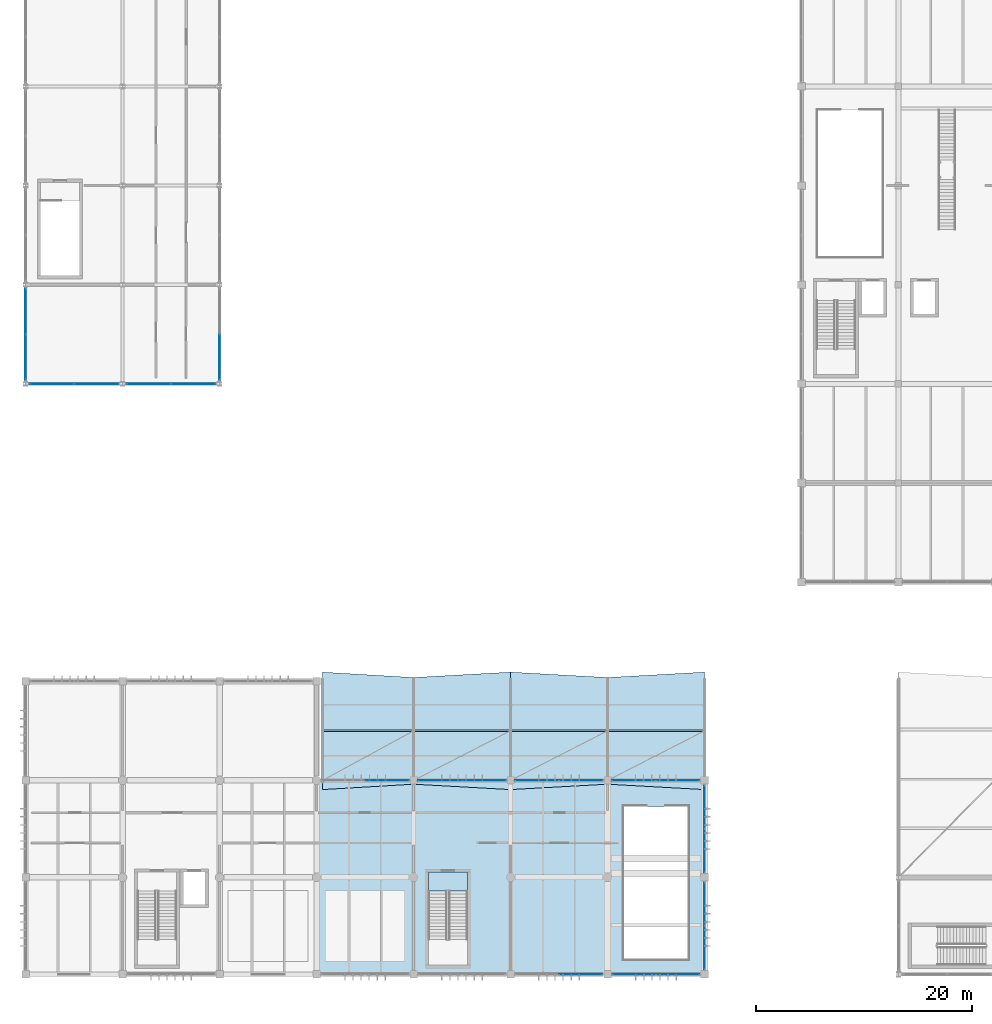
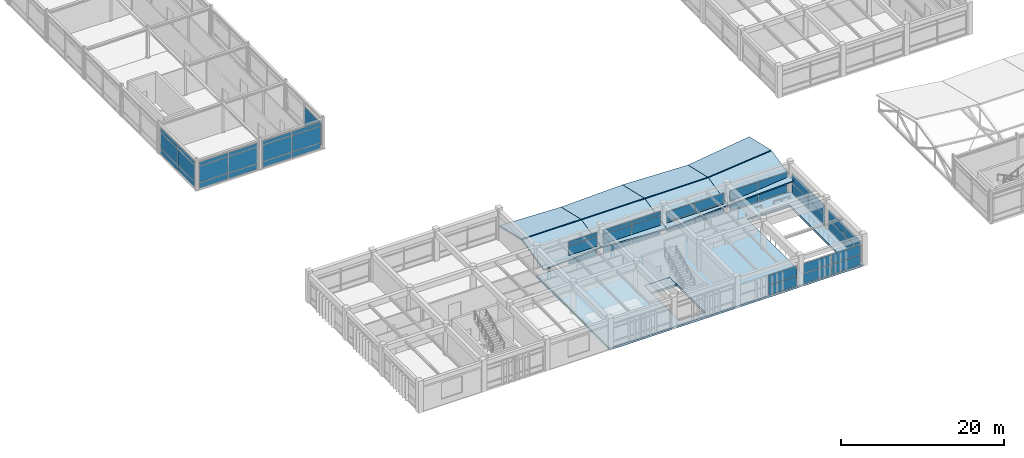
# One storey, part 53 of 90: 51 plates, 10 slabs, 12 elements without a shape of their own.
"""IFC4 building model written with IfcOpenShell, lengths in metres."""

from ifc_helpers import new_model, si_unit, direction, frame, origin, origin_2d, place, context, subcontext, project, spatial, polyline, rectangle, outline, extrude, material, layer, layer_set, type_object, element, aggregate, save


model = new_model("IFC4")

# Units and contexts
model_context = context("Model", 3, precision=1e-05, world=origin(), true_north=direction((0.0, 1.0)))
body_context = subcontext(model_context, "Body", "Model", "MODEL_VIEW")
ifc_project = project(units=[si_unit("LENGTHUNIT", "METRE"), si_unit("AREAUNIT", "SQUARE_METRE"), si_unit("VOLUMEUNIT", "CUBIC_METRE"), si_unit("PLANEANGLEUNIT", "RADIAN"), si_unit("MASSUNIT", "GRAM", prefix="KILO")], contexts=[model_context])

# Site, building, storey
site_placement = place(None, origin())
site = spatial("IfcSite", under=ifc_project, at=site_placement, CompositionType="ELEMENT")
building_placement = place(site_placement, origin())
building = spatial("IfcBuilding", under=site, at=building_placement, Name="Bozkorgan Art Gallery", CompositionType="ELEMENT")
storey_placement = place(building_placement, frame((0.0, 0.0, 5.39990234375)))
storey = spatial("IfcBuildingStorey", under=building, at=storey_placement, Name="L01", CompositionType="ELEMENT", Elevation=5.39990234375)

# Curtain wall, plates
ifc_material_1 = material(Name="Anodised Bronze Aluminium", Category="aluminium")
curtain_wall_type_1 = type_object("IfcCurtainWallType", Name="CW-CW-40", PredefinedType="NOTDEFINED", material=ifc_material_1)
curtain_wall_1_placement = place(storey_placement, origin())
curtain_wall_1 = element("IfcCurtainWall", 1, at=curtain_wall_1_placement, inside=storey, type_object=curtain_wall_type_1, Name="L01 unitised curtain wall CW-V1-L01-1N-05", PredefinedType="NOTDEFINED")
ifc_material_2 = material(Name="Triple Low-E Laminated Glass", Category="glass")
ifc_layer_1 = layer(ifc_material_2, 0.0439453125, Name="Triple Low-E Laminated Glass")
ifc_layer_set_1 = layer_set([ifc_layer_1], Name="Triple Low-E Laminated Glass")
plate_type = type_object("IfcPlateType", Name="CWP-GLZ", PredefinedType="CURTAIN_PANEL", material=ifc_layer_set_1)
plate_1_placement = place(storey_placement, frame((35.563720703125, 20.0, 0.094970703125), z_axis=(0.0, 0.0, 1.0), x_axis=(1.0, 0.0, 0.0)))
plate_1 = element("IfcPlate", 2, at=plate_1_placement, type_object=plate_type, Name="CW-40 panel 2.1", PredefinedType="CURTAIN_PANEL", context=body_context, shape_type="SweptSolid", body=[
    extrude(rectangle(XDim=4.012451171875, YDim=0.0439453125, at=origin_2d()), origin(), (0.0, 0.0, 1.0), 0.78759765625),
])
plate_2_placement = place(storey_placement, frame((35.563720703125, 20.0, 0.95751953125), z_axis=(0.0, 0.0, 1.0), x_axis=(1.0, 0.0, 0.0)))
plate_2 = element("IfcPlate", 3, at=plate_2_placement, type_object=plate_type, Name="CW-40 panel 2.2", PredefinedType="CURTAIN_PANEL", context=body_context, shape_type="SweptSolid", body=[
    extrude(rectangle(XDim=4.012451171875, YDim=0.0439453125, at=origin_2d()), origin(), (0.0, 0.0, 1.0), 1.929931640625),
])
plate_3_placement = place(storey_placement, frame((35.563720703125, 20.0, 2.962646484375), z_axis=(0.0, 0.0, 1.0), x_axis=(1.0, 0.0, 0.0)))
plate_3 = element("IfcPlate", 4, at=plate_3_placement, type_object=plate_type, Name="CW-40 panel 2.3", PredefinedType="CURTAIN_PANEL", context=body_context, shape_type="SweptSolid", body=[
    extrude(rectangle(XDim=4.012451171875, YDim=0.0439453125, at=origin_2d()), origin(), (0.0, 0.0, 1.0), 0.53759765625),
])
aggregate(curtain_wall_1, [plate_1, plate_2, plate_3])

curtain_wall_type_2 = type_object("IfcCurtainWallType", Name="CW-CW-42", PredefinedType="NOTDEFINED", material=ifc_material_1)
curtain_wall_2_placement = place(storey_placement, origin())
curtain_wall_2 = element("IfcCurtainWall", 5, at=curtain_wall_2_placement, inside=storey, type_object=curtain_wall_type_2, Name="L01 unitised curtain wall CW-V1-L01-1N-07", PredefinedType="NOTDEFINED")
plate_4_placement = place(storey_placement, frame((40.44873046875, 20.0, 0.094970703125), z_axis=(0.0, 0.0, 1.0), x_axis=(1.0, 0.0, 0.0)))
plate_4 = element("IfcPlate", 6, at=plate_4_placement, type_object=plate_type, Name="CW-42 panel 1.1", PredefinedType="CURTAIN_PANEL", context=body_context, shape_type="SweptSolid", body=[
    extrude(rectangle(XDim=4.03759765625, YDim=0.0439453125, at=origin_2d()), origin(), (0.0, 0.0, 1.0), 0.78759765625),
])
plate_5_placement = place(storey_placement, frame((40.44873046875, 20.0, 0.95751953125), z_axis=(0.0, 0.0, 1.0), x_axis=(1.0, 0.0, 0.0)))
plate_5 = element("IfcPlate", 7, at=plate_5_placement, type_object=plate_type, Name="CW-42 panel 1.2", PredefinedType="CURTAIN_PANEL", context=body_context, shape_type="SweptSolid", body=[
    extrude(rectangle(XDim=4.03759765625, YDim=0.0439453125, at=origin_2d()), origin(), (0.0, 0.0, 1.0), 1.929931640625),
])
plate_6_placement = place(storey_placement, frame((40.44873046875, 20.0, 2.962646484375), z_axis=(0.0, 0.0, 1.0), x_axis=(1.0, 0.0, 0.0)))
plate_6 = element("IfcPlate", 8, at=plate_6_placement, type_object=plate_type, Name="CW-42 panel 1.3", PredefinedType="CURTAIN_PANEL", context=body_context, shape_type="SweptSolid", body=[
    extrude(rectangle(XDim=4.03759765625, YDim=0.0439453125, at=origin_2d()), origin(), (0.0, 0.0, 1.0), 0.53759765625),
])
plate_7_placement = place(storey_placement, frame((44.55126953125, 20.0, 0.094970703125), z_axis=(0.0, 0.0, 1.0), x_axis=(1.0, 0.0, 0.0)))
plate_7 = element("IfcPlate", 9, at=plate_7_placement, type_object=plate_type, Name="CW-42 panel 2.1", PredefinedType="CURTAIN_PANEL", context=body_context, shape_type="SweptSolid", body=[
    extrude(rectangle(XDim=4.03759765625, YDim=0.0439453125, at=origin_2d()), origin(), (0.0, 0.0, 1.0), 0.78759765625),
])
plate_8_placement = place(storey_placement, frame((44.55126953125, 20.0, 0.95751953125), z_axis=(0.0, 0.0, 1.0), x_axis=(1.0, 0.0, 0.0)))
plate_8 = element("IfcPlate", 10, at=plate_8_placement, type_object=plate_type, Name="CW-42 panel 2.2", PredefinedType="CURTAIN_PANEL", context=body_context, shape_type="SweptSolid", body=[
    extrude(rectangle(XDim=4.03759765625, YDim=0.0439453125, at=origin_2d()), origin(), (0.0, 0.0, 1.0), 1.929931640625),
])
plate_9_placement = place(storey_placement, frame((44.55126953125, 20.0, 2.962646484375), z_axis=(0.0, 0.0, 1.0), x_axis=(1.0, 0.0, 0.0)))
plate_9 = element("IfcPlate", 11, at=plate_9_placement, type_object=plate_type, Name="CW-42 panel 2.3", PredefinedType="CURTAIN_PANEL", context=body_context, shape_type="SweptSolid", body=[
    extrude(rectangle(XDim=4.03759765625, YDim=0.0439453125, at=origin_2d()), origin(), (0.0, 0.0, 1.0), 0.53759765625),
])
aggregate(curtain_wall_2, [plate_4, plate_5, plate_6, plate_7, plate_8, plate_9])

curtain_wall_type_3 = type_object("IfcCurtainWallType", Name="CW-CW-73", PredefinedType="NOTDEFINED", material=ifc_material_1)
curtain_wall_3_placement = place(storey_placement, origin())
curtain_wall_3 = element("IfcCurtainWall", 12, at=curtain_wall_3_placement, inside=storey, type_object=curtain_wall_type_3, Name="L01 unitised curtain wall CW-V1-L01-1S-08", PredefinedType="NOTDEFINED")
plate_10_placement = place(storey_placement, frame((53.5263671875, 2.0, 0.09521484375), z_axis=(0.0, 0.0, 1.0), x_axis=(1.0, 0.0, 0.0)))
plate_10 = element("IfcPlate", 13, at=plate_10_placement, type_object=plate_type, Name="CW-73 panel 2.1", PredefinedType="CURTAIN_PANEL", context=body_context, shape_type="SweptSolid", body=[
    extrude(rectangle(XDim=3.987548828125, YDim=0.0439453125, at=origin_2d()), origin(), (0.0, 0.0, 1.0), 1.464599609375),
])
plate_11_placement = place(storey_placement, frame((53.5263671875, 2.0, 1.634765625), z_axis=(0.0, 0.0, 1.0), x_axis=(1.0, 0.0, 0.0)))
plate_11 = element("IfcPlate", 14, at=plate_11_placement, type_object=plate_type, Name="CW-73 panel 2.2", PredefinedType="CURTAIN_PANEL", context=body_context, shape_type="SweptSolid", body=[
    extrude(rectangle(XDim=3.987548828125, YDim=0.0439453125, at=origin_2d()), origin(), (0.0, 0.0, 1.0), 1.465576171875),
])
aggregate(curtain_wall_3, [plate_10, plate_11])

curtain_wall_type_4 = type_object("IfcCurtainWallType", Name="CW-CW-83", PredefinedType="NOTDEFINED", material=ifc_material_1)
curtain_wall_4_placement = place(storey_placement, origin())
curtain_wall_4 = element("IfcCurtainWall", 15, at=curtain_wall_4_placement, inside=storey, type_object=curtain_wall_type_4, Name="L01 unitised curtain wall CW-V1-L01-1N-09", PredefinedType="NOTDEFINED")
plate_12_placement = place(storey_placement, frame((49.44873046875, 20.0, 0.09521484375), z_axis=(0.0, 0.0, 1.0), x_axis=(1.0, 0.0, 0.0)))
plate_12 = element("IfcPlate", 16, at=plate_12_placement, type_object=plate_type, Name="CW-83 panel 1.1", PredefinedType="CURTAIN_PANEL", context=body_context, shape_type="SweptSolid", body=[
    extrude(rectangle(XDim=4.03759765625, YDim=0.0439453125, at=origin_2d()), origin(), (0.0, 0.0, 1.0), 1.464599609375),
])
plate_13_placement = place(storey_placement, frame((49.44873046875, 20.0, 1.634765625), z_axis=(0.0, 0.0, 1.0), x_axis=(1.0, 0.0, 0.0)))
plate_13 = element("IfcPlate", 17, at=plate_13_placement, type_object=plate_type, Name="CW-83 panel 1.2", PredefinedType="CURTAIN_PANEL", context=body_context, shape_type="SweptSolid", body=[
    extrude(rectangle(XDim=4.03759765625, YDim=0.0439453125, at=origin_2d()), origin(), (0.0, 0.0, 1.0), 1.465576171875),
])
plate_14_placement = place(storey_placement, frame((53.55126953125, 20.0, 0.09521484375), z_axis=(0.0, 0.0, 1.0), x_axis=(1.0, 0.0, 0.0)))
plate_14 = element("IfcPlate", 18, at=plate_14_placement, type_object=plate_type, Name="CW-83 panel 2.1", PredefinedType="CURTAIN_PANEL", context=body_context, shape_type="SweptSolid", body=[
    extrude(rectangle(XDim=4.03759765625, YDim=0.0439453125, at=origin_2d()), origin(), (0.0, 0.0, 1.0), 1.464599609375),
])
plate_15_placement = place(storey_placement, frame((53.55126953125, 20.0, 1.634765625), z_axis=(0.0, 0.0, 1.0), x_axis=(1.0, 0.0, 0.0)))
plate_15 = element("IfcPlate", 19, at=plate_15_placement, type_object=plate_type, Name="CW-83 panel 2.2", PredefinedType="CURTAIN_PANEL", context=body_context, shape_type="SweptSolid", body=[
    extrude(rectangle(XDim=4.03759765625, YDim=0.0439453125, at=origin_2d()), origin(), (0.0, 0.0, 1.0), 1.465576171875),
])
aggregate(curtain_wall_4, [plate_12, plate_13, plate_14, plate_15])

curtain_wall_5_placement = place(storey_placement, origin())
curtain_wall_5 = element("IfcCurtainWall", 20, at=curtain_wall_5_placement, inside=storey, type_object=curtain_wall_type_3, Name="L01 unitised curtain wall CW-V1-L01-1S-10", PredefinedType="NOTDEFINED")
plate_16_placement = place(storey_placement, frame((58.4736328125, 2.0, 0.09521484375), z_axis=(0.0, 0.0, 1.0), x_axis=(1.0, 0.0, 0.0)))
plate_16 = element("IfcPlate", 21, at=plate_16_placement, type_object=plate_type, Name="CW-73 panel 1.1", PredefinedType="CURTAIN_PANEL", context=body_context, shape_type="SweptSolid", body=[
    extrude(rectangle(XDim=3.987548828125, YDim=0.0439453125, at=origin_2d()), origin(), (0.0, 0.0, 1.0), 1.464599609375),
])
plate_17_placement = place(storey_placement, frame((58.4736328125, 2.0, 1.634765625), z_axis=(0.0, 0.0, 1.0), x_axis=(1.0, 0.0, 0.0)))
plate_17 = element("IfcPlate", 22, at=plate_17_placement, type_object=plate_type, Name="CW-73 panel 1.2", PredefinedType="CURTAIN_PANEL", context=body_context, shape_type="SweptSolid", body=[
    extrude(rectangle(XDim=3.987548828125, YDim=0.0439453125, at=origin_2d()), origin(), (0.0, 0.0, 1.0), 1.465576171875),
])
plate_18_placement = place(storey_placement, frame((62.5263671875, 2.0, 0.09521484375), z_axis=(0.0, 0.0, 1.0), x_axis=(1.0, 0.0, 0.0)))
plate_18 = element("IfcPlate", 23, at=plate_18_placement, type_object=plate_type, Name="CW-73 panel 2.1", PredefinedType="CURTAIN_PANEL", context=body_context, shape_type="SweptSolid", body=[
    extrude(rectangle(XDim=3.987548828125, YDim=0.0439453125, at=origin_2d()), origin(), (0.0, 0.0, 1.0), 1.464599609375),
])
plate_19_placement = place(storey_placement, frame((62.5263671875, 2.0, 1.634765625), z_axis=(0.0, 0.0, 1.0), x_axis=(1.0, 0.0, 0.0)))
plate_19 = element("IfcPlate", 24, at=plate_19_placement, type_object=plate_type, Name="CW-73 panel 2.2", PredefinedType="CURTAIN_PANEL", context=body_context, shape_type="SweptSolid", body=[
    extrude(rectangle(XDim=3.987548828125, YDim=0.0439453125, at=origin_2d()), origin(), (0.0, 0.0, 1.0), 1.465576171875),
])
aggregate(curtain_wall_5, [plate_16, plate_17, plate_18, plate_19])

curtain_wall_type_5 = type_object("IfcCurtainWallType", Name="CW-CW-27", PredefinedType="NOTDEFINED", material=ifc_material_1)
curtain_wall_6_placement = place(storey_placement, origin())
curtain_wall_6 = element("IfcCurtainWall", 25, at=curtain_wall_6_placement, inside=storey, type_object=curtain_wall_type_5, Name="L01 unitised curtain wall CW-V1-L01-1N-11", PredefinedType="NOTDEFINED")
plate_20_placement = place(storey_placement, frame((58.436279296875, 20.0, 0.09521484375), z_axis=(0.0, 0.0, 1.0), x_axis=(1.0, 0.0, 0.0)))
plate_20 = element("IfcPlate", 26, at=plate_20_placement, type_object=plate_type, Name="CW-27 panel 1.1", PredefinedType="CURTAIN_PANEL", context=body_context, shape_type="SweptSolid", body=[
    extrude(rectangle(XDim=4.012451171875, YDim=0.0439453125, at=origin_2d()), origin(), (0.0, 0.0, 1.0), 1.464599609375),
])
plate_21_placement = place(storey_placement, frame((58.436279296875, 20.0, 1.634765625), z_axis=(0.0, 0.0, 1.0), x_axis=(1.0, 0.0, 0.0)))
plate_21 = element("IfcPlate", 27, at=plate_21_placement, type_object=plate_type, Name="CW-27 panel 1.2", PredefinedType="CURTAIN_PANEL", context=body_context, shape_type="SweptSolid", body=[
    extrude(rectangle(XDim=4.012451171875, YDim=0.0439453125, at=origin_2d()), origin(), (0.0, 0.0, 1.0), 1.465576171875),
])
plate_22_placement = place(storey_placement, frame((62.513671875, 20.0, 0.09521484375), z_axis=(0.0, 0.0, 1.0), x_axis=(1.0, 0.0, 0.0)))
plate_22 = element("IfcPlate", 28, at=plate_22_placement, type_object=plate_type, Name="CW-27 panel 2.1", PredefinedType="CURTAIN_PANEL", context=body_context, shape_type="SweptSolid", body=[
    extrude(rectangle(XDim=4.012451171875, YDim=0.0439453125, at=origin_2d()), origin(), (0.0, 0.0, 1.0), 1.464599609375),
])
plate_23_placement = place(storey_placement, frame((62.513671875, 20.0, 1.634765625), z_axis=(0.0, 0.0, 1.0), x_axis=(1.0, 0.0, 0.0)))
plate_23 = element("IfcPlate", 29, at=plate_23_placement, type_object=plate_type, Name="CW-27 panel 2.2", PredefinedType="CURTAIN_PANEL", context=body_context, shape_type="SweptSolid", body=[
    extrude(rectangle(XDim=4.012451171875, YDim=0.0439453125, at=origin_2d()), origin(), (0.0, 0.0, 1.0), 1.465576171875),
])
aggregate(curtain_wall_6, [plate_20, plate_21, plate_22, plate_23])

curtain_wall_7_placement = place(storey_placement, origin())
curtain_wall_7 = element("IfcCurtainWall", 30, at=curtain_wall_7_placement, inside=storey, type_object=curtain_wall_type_3, Name="L01 unitised curtain wall CW-V1-L01-1E-13", PredefinedType="NOTDEFINED")
plate_24_placement = place(storey_placement, frame((65.0, 4.4736328125, 0.09521484375), z_axis=(0.0, 0.0, 1.0), x_axis=(0.0, 1.0, 0.0)))
plate_24 = element("IfcPlate", 31, at=plate_24_placement, type_object=plate_type, Name="CW-73 panel 1.1", PredefinedType="CURTAIN_PANEL", context=body_context, shape_type="SweptSolid", body=[
    extrude(rectangle(XDim=3.987548828125, YDim=0.0439453125, at=origin_2d()), origin(), (0.0, 0.0, 1.0), 1.464599609375),
])
plate_25_placement = place(storey_placement, frame((65.0, 4.4736328125, 1.634765625), z_axis=(0.0, 0.0, 1.0), x_axis=(0.0, 1.0, 0.0)))
plate_25 = element("IfcPlate", 32, at=plate_25_placement, type_object=plate_type, Name="CW-73 panel 1.2", PredefinedType="CURTAIN_PANEL", context=body_context, shape_type="SweptSolid", body=[
    extrude(rectangle(XDim=3.987548828125, YDim=0.0439453125, at=origin_2d()), origin(), (0.0, 0.0, 1.0), 1.465576171875),
])
plate_26_placement = place(storey_placement, frame((65.0, 8.5263671875, 0.09521484375), z_axis=(0.0, 0.0, 1.0), x_axis=(0.0, 1.0, 0.0)))
plate_26 = element("IfcPlate", 33, at=plate_26_placement, type_object=plate_type, Name="CW-73 panel 2.1", PredefinedType="CURTAIN_PANEL", context=body_context, shape_type="SweptSolid", body=[
    extrude(rectangle(XDim=3.987548828125, YDim=0.0439453125, at=origin_2d()), origin(), (0.0, 0.0, 1.0), 1.464599609375),
])
plate_27_placement = place(storey_placement, frame((65.0, 8.5263671875, 1.634765625), z_axis=(0.0, 0.0, 1.0), x_axis=(0.0, 1.0, 0.0)))
plate_27 = element("IfcPlate", 34, at=plate_27_placement, type_object=plate_type, Name="CW-73 panel 2.2", PredefinedType="CURTAIN_PANEL", context=body_context, shape_type="SweptSolid", body=[
    extrude(rectangle(XDim=3.987548828125, YDim=0.0439453125, at=origin_2d()), origin(), (0.0, 0.0, 1.0), 1.465576171875),
])
aggregate(curtain_wall_7, [plate_24, plate_25, plate_26, plate_27])

curtain_wall_8_placement = place(storey_placement, origin())
curtain_wall_8 = element("IfcCurtainWall", 35, at=curtain_wall_8_placement, inside=storey, type_object=curtain_wall_type_3, Name="L01 unitised curtain wall CW-V1-L01-1E-15", PredefinedType="NOTDEFINED")
plate_28_placement = place(storey_placement, frame((65.0, 13.4736328125, 0.09521484375), z_axis=(0.0, 0.0, 1.0), x_axis=(0.0, 1.0, 0.0)))
plate_28 = element("IfcPlate", 36, at=plate_28_placement, type_object=plate_type, Name="CW-73 panel 1.1", PredefinedType="CURTAIN_PANEL", context=body_context, shape_type="SweptSolid", body=[
    extrude(rectangle(XDim=3.987548828125, YDim=0.0439453125, at=origin_2d()), origin(), (0.0, 0.0, 1.0), 1.464599609375),
])
plate_29_placement = place(storey_placement, frame((65.0, 13.4736328125, 1.634765625), z_axis=(0.0, 0.0, 1.0), x_axis=(0.0, 1.0, 0.0)))
plate_29 = element("IfcPlate", 37, at=plate_29_placement, type_object=plate_type, Name="CW-73 panel 1.2", PredefinedType="CURTAIN_PANEL", context=body_context, shape_type="SweptSolid", body=[
    extrude(rectangle(XDim=3.987548828125, YDim=0.0439453125, at=origin_2d()), origin(), (0.0, 0.0, 1.0), 1.465576171875),
])
plate_30_placement = place(storey_placement, frame((65.0, 17.5263671875, 0.09521484375), z_axis=(0.0, 0.0, 1.0), x_axis=(0.0, 1.0, 0.0)))
plate_30 = element("IfcPlate", 38, at=plate_30_placement, type_object=plate_type, Name="CW-73 panel 2.1", PredefinedType="CURTAIN_PANEL", context=body_context, shape_type="SweptSolid", body=[
    extrude(rectangle(XDim=3.987548828125, YDim=0.0439453125, at=origin_2d()), origin(), (0.0, 0.0, 1.0), 1.464599609375),
])
plate_31_placement = place(storey_placement, frame((65.0, 17.5263671875, 1.634765625), z_axis=(0.0, 0.0, 1.0), x_axis=(0.0, 1.0, 0.0)))
plate_31 = element("IfcPlate", 39, at=plate_31_placement, type_object=plate_type, Name="CW-73 panel 2.2", PredefinedType="CURTAIN_PANEL", context=body_context, shape_type="SweptSolid", body=[
    extrude(rectangle(XDim=3.987548828125, YDim=0.0439453125, at=origin_2d()), origin(), (0.0, 0.0, 1.0), 1.465576171875),
])
aggregate(curtain_wall_8, [plate_28, plate_29, plate_30, plate_31])

curtain_wall_type_6 = type_object("IfcCurtainWallType", Name="CW-CW-74", PredefinedType="NOTDEFINED", material=ifc_material_1)
curtain_wall_9_placement = place(storey_placement, origin())
curtain_wall_9 = element("IfcCurtainWall", 40, at=curtain_wall_9_placement, inside=storey, type_object=curtain_wall_type_6, Name="L01 unitised curtain wall CW-V2-L01-1S-01", PredefinedType="NOTDEFINED")
plate_32_placement = place(storey_placement, frame((4.42626953125, 56.800048828125, 0.10009765625), z_axis=(0.0, 0.0, 1.0), x_axis=(1.0, 0.0, 0.0)))
plate_32 = element("IfcPlate", 41, at=plate_32_placement, type_object=plate_type, Name="CW-74 panel 1.1", PredefinedType="CURTAIN_PANEL", context=body_context, shape_type="SweptSolid", body=[
    extrude(rectangle(XDim=4.072509765625, YDim=0.0439453125, at=origin_2d()), origin(), (0.0, 0.0, 1.0), 0.780029296875),
])
plate_33_placement = place(storey_placement, frame((4.42626953125, 56.800048828125, 0.9599609375), z_axis=(0.0, 0.0, 1.0), x_axis=(1.0, 0.0, 0.0)))
plate_33 = element("IfcPlate", 42, at=plate_33_placement, type_object=plate_type, Name="CW-74 panel 1.2", PredefinedType="CURTAIN_PANEL", context=body_context, shape_type="SweptSolid", body=[
    extrude(rectangle(XDim=4.072509765625, YDim=0.0439453125, at=origin_2d()), origin(), (0.0, 0.0, 1.0), 2.445068359375),
])
plate_34_placement = place(storey_placement, frame((4.42626953125, 56.800048828125, 3.48486328125), z_axis=(0.0, 0.0, 1.0), x_axis=(1.0, 0.0, 0.0)))
plate_34 = element("IfcPlate", 43, at=plate_34_placement, type_object=plate_type, Name="CW-74 panel 1.3", PredefinedType="CURTAIN_PANEL", context=body_context, shape_type="SweptSolid", body=[
    extrude(rectangle(XDim=4.072509765625, YDim=0.0439453125, at=origin_2d()), origin(), (0.0, 0.0, 1.0), 0.530029296875),
])
plate_35_placement = place(storey_placement, frame((8.57373046875, 56.800048828125, 0.10009765625), z_axis=(0.0, 0.0, 1.0), x_axis=(1.0, 0.0, 0.0)))
plate_35 = element("IfcPlate", 44, at=plate_35_placement, type_object=plate_type, Name="CW-74 panel 2.1", PredefinedType="CURTAIN_PANEL", context=body_context, shape_type="SweptSolid", body=[
    extrude(rectangle(XDim=4.072509765625, YDim=0.0439453125, at=origin_2d()), origin(), (0.0, 0.0, 1.0), 0.780029296875),
])
plate_36_placement = place(storey_placement, frame((8.57373046875, 56.800048828125, 0.9599609375), z_axis=(0.0, 0.0, 1.0), x_axis=(1.0, 0.0, 0.0)))
plate_36 = element("IfcPlate", 45, at=plate_36_placement, type_object=plate_type, Name="CW-74 panel 2.2", PredefinedType="CURTAIN_PANEL", context=body_context, shape_type="SweptSolid", body=[
    extrude(rectangle(XDim=4.072509765625, YDim=0.0439453125, at=origin_2d()), origin(), (0.0, 0.0, 1.0), 2.445068359375),
])
plate_37_placement = place(storey_placement, frame((8.57373046875, 56.800048828125, 3.48486328125), z_axis=(0.0, 0.0, 1.0), x_axis=(1.0, 0.0, 0.0)))
plate_37 = element("IfcPlate", 46, at=plate_37_placement, type_object=plate_type, Name="CW-74 panel 2.3", PredefinedType="CURTAIN_PANEL", context=body_context, shape_type="SweptSolid", body=[
    extrude(rectangle(XDim=4.072509765625, YDim=0.0439453125, at=origin_2d()), origin(), (0.0, 0.0, 1.0), 0.530029296875),
])
aggregate(curtain_wall_9, [plate_32, plate_33, plate_34, plate_35, plate_36, plate_37])

curtain_wall_10_placement = place(storey_placement, origin())
curtain_wall_10 = element("IfcCurtainWall", 47, at=curtain_wall_10_placement, inside=storey, type_object=curtain_wall_type_6, Name="L01 unitised curtain wall CW-V2-L01-1S-03", PredefinedType="NOTDEFINED")
plate_38_placement = place(storey_placement, frame((13.42626953125, 56.800048828125, 0.10009765625), z_axis=(0.0, 0.0, 1.0), x_axis=(1.0, 0.0, 0.0)))
plate_38 = element("IfcPlate", 48, at=plate_38_placement, type_object=plate_type, Name="CW-74 panel 1.1", PredefinedType="CURTAIN_PANEL", context=body_context, shape_type="SweptSolid", body=[
    extrude(rectangle(XDim=4.072509765625, YDim=0.0439453125, at=origin_2d()), origin(), (0.0, 0.0, 1.0), 0.780029296875),
])
plate_39_placement = place(storey_placement, frame((13.42626953125, 56.800048828125, 0.9599609375), z_axis=(0.0, 0.0, 1.0), x_axis=(1.0, 0.0, 0.0)))
plate_39 = element("IfcPlate", 49, at=plate_39_placement, type_object=plate_type, Name="CW-74 panel 1.2", PredefinedType="CURTAIN_PANEL", context=body_context, shape_type="SweptSolid", body=[
    extrude(rectangle(XDim=4.072509765625, YDim=0.0439453125, at=origin_2d()), origin(), (0.0, 0.0, 1.0), 2.445068359375),
])
plate_40_placement = place(storey_placement, frame((13.42626953125, 56.800048828125, 3.48486328125), z_axis=(0.0, 0.0, 1.0), x_axis=(1.0, 0.0, 0.0)))
plate_40 = element("IfcPlate", 50, at=plate_40_placement, type_object=plate_type, Name="CW-74 panel 1.3", PredefinedType="CURTAIN_PANEL", context=body_context, shape_type="SweptSolid", body=[
    extrude(rectangle(XDim=4.072509765625, YDim=0.0439453125, at=origin_2d()), origin(), (0.0, 0.0, 1.0), 0.530029296875),
])
plate_41_placement = place(storey_placement, frame((17.57373046875, 56.800048828125, 0.10009765625), z_axis=(0.0, 0.0, 1.0), x_axis=(1.0, 0.0, 0.0)))
plate_41 = element("IfcPlate", 51, at=plate_41_placement, type_object=plate_type, Name="CW-74 panel 2.1", PredefinedType="CURTAIN_PANEL", context=body_context, shape_type="SweptSolid", body=[
    extrude(rectangle(XDim=4.072509765625, YDim=0.0439453125, at=origin_2d()), origin(), (0.0, 0.0, 1.0), 0.780029296875),
])
plate_42_placement = place(storey_placement, frame((17.57373046875, 56.800048828125, 0.9599609375), z_axis=(0.0, 0.0, 1.0), x_axis=(1.0, 0.0, 0.0)))
plate_42 = element("IfcPlate", 52, at=plate_42_placement, type_object=plate_type, Name="CW-74 panel 2.2", PredefinedType="CURTAIN_PANEL", context=body_context, shape_type="SweptSolid", body=[
    extrude(rectangle(XDim=4.072509765625, YDim=0.0439453125, at=origin_2d()), origin(), (0.0, 0.0, 1.0), 2.445068359375),
])
plate_43_placement = place(storey_placement, frame((17.57373046875, 56.800048828125, 3.48486328125), z_axis=(0.0, 0.0, 1.0), x_axis=(1.0, 0.0, 0.0)))
plate_43 = element("IfcPlate", 53, at=plate_43_placement, type_object=plate_type, Name="CW-74 panel 2.3", PredefinedType="CURTAIN_PANEL", context=body_context, shape_type="SweptSolid", body=[
    extrude(rectangle(XDim=4.072509765625, YDim=0.0439453125, at=origin_2d()), origin(), (0.0, 0.0, 1.0), 0.530029296875),
])
aggregate(curtain_wall_10, [plate_38, plate_39, plate_40, plate_41, plate_42, plate_43])

curtain_wall_type_7 = type_object("IfcCurtainWallType", Name="CW-CW-52", PredefinedType="NOTDEFINED", material=ifc_material_1)
curtain_wall_11_placement = place(storey_placement, origin())
curtain_wall_11 = element("IfcCurtainWall", 54, at=curtain_wall_11_placement, inside=storey, type_object=curtain_wall_type_7, Name="L01 unitised curtain wall CW-V2-L01-1W-05", PredefinedType="NOTDEFINED")
plate_44_placement = place(storey_placement, frame((2.0, 59.2763671875, 0.10009765625), z_axis=(0.0, 0.0, 1.0), x_axis=(0.0, 1.0, 0.0)))
plate_44 = element("IfcPlate", 55, at=plate_44_placement, type_object=plate_type, Name="CW-52 panel 1.1", PredefinedType="CURTAIN_PANEL", context=body_context, shape_type="SweptSolid", body=[
    extrude(rectangle(XDim=4.172607421875, YDim=0.0439453125, at=origin_2d()), origin(), (0.0, 0.0, 1.0), 0.780029296875),
])
plate_45_placement = place(storey_placement, frame((2.0, 59.2763671875, 0.9599609375), z_axis=(0.0, 0.0, 1.0), x_axis=(0.0, 1.0, 0.0)))
plate_45 = element("IfcPlate", 56, at=plate_45_placement, type_object=plate_type, Name="CW-52 panel 1.2", PredefinedType="CURTAIN_PANEL", context=body_context, shape_type="SweptSolid", body=[
    extrude(rectangle(XDim=4.172607421875, YDim=0.0439453125, at=origin_2d()), origin(), (0.0, 0.0, 1.0), 2.445068359375),
])
plate_46_placement = place(storey_placement, frame((2.0, 59.2763671875, 3.48486328125), z_axis=(0.0, 0.0, 1.0), x_axis=(0.0, 1.0, 0.0)))
plate_46 = element("IfcPlate", 57, at=plate_46_placement, type_object=plate_type, Name="CW-52 panel 1.3", PredefinedType="CURTAIN_PANEL", context=body_context, shape_type="SweptSolid", body=[
    extrude(rectangle(XDim=4.172607421875, YDim=0.0439453125, at=origin_2d()), origin(), (0.0, 0.0, 1.0), 0.530029296875),
])
plate_47_placement = place(storey_placement, frame((2.0, 63.523681640625, 0.10009765625), z_axis=(0.0, 0.0, 1.0), x_axis=(0.0, 1.0, 0.0)))
plate_47 = element("IfcPlate", 58, at=plate_47_placement, type_object=plate_type, Name="CW-52 panel 2.1", PredefinedType="CURTAIN_PANEL", context=body_context, shape_type="SweptSolid", body=[
    extrude(rectangle(XDim=4.172607421875, YDim=0.0439453125, at=origin_2d()), origin(), (0.0, 0.0, 1.0), 0.780029296875),
])
plate_48_placement = place(storey_placement, frame((2.0, 63.523681640625, 0.9599609375), z_axis=(0.0, 0.0, 1.0), x_axis=(0.0, 1.0, 0.0)))
plate_48 = element("IfcPlate", 59, at=plate_48_placement, type_object=plate_type, Name="CW-52 panel 2.2", PredefinedType="CURTAIN_PANEL", context=body_context, shape_type="SweptSolid", body=[
    extrude(rectangle(XDim=4.172607421875, YDim=0.0439453125, at=origin_2d()), origin(), (0.0, 0.0, 1.0), 2.445068359375),
])
plate_49_placement = place(storey_placement, frame((2.0, 63.523681640625, 3.48486328125), z_axis=(0.0, 0.0, 1.0), x_axis=(0.0, 1.0, 0.0)))
plate_49 = element("IfcPlate", 60, at=plate_49_placement, type_object=plate_type, Name="CW-52 panel 2.3", PredefinedType="CURTAIN_PANEL", context=body_context, shape_type="SweptSolid", body=[
    extrude(rectangle(XDim=4.172607421875, YDim=0.0439453125, at=origin_2d()), origin(), (0.0, 0.0, 1.0), 0.530029296875),
])
aggregate(curtain_wall_11, [plate_44, plate_45, plate_46, plate_47, plate_48, plate_49])

curtain_wall_12_placement = place(storey_placement, origin())
curtain_wall_12 = element("IfcCurtainWall", 61, at=curtain_wall_12_placement, inside=storey, type_object=curtain_wall_type_7, Name="L01 unitised curtain wall CW-V2-L01-1E-06", PredefinedType="NOTDEFINED")
plate_50_placement = place(storey_placement, frame((20.0, 59.2763671875, 0.10009765625), z_axis=(0.0, 0.0, 1.0), x_axis=(0.0, 1.0, 0.0)))
plate_50 = element("IfcPlate", 62, at=plate_50_placement, type_object=plate_type, Name="CW-52 panel 1.1", PredefinedType="CURTAIN_PANEL", context=body_context, shape_type="SweptSolid", body=[
    extrude(rectangle(XDim=4.172607421875, YDim=0.0439453125, at=origin_2d()), origin(), (0.0, 0.0, 1.0), 0.780029296875),
])
plate_51_placement = place(storey_placement, frame((20.0, 59.2763671875, 0.9599609375), z_axis=(0.0, 0.0, 1.0), x_axis=(0.0, 1.0, 0.0)))
plate_51 = element("IfcPlate", 63, at=plate_51_placement, type_object=plate_type, Name="CW-52 panel 1.2", PredefinedType="CURTAIN_PANEL", context=body_context, shape_type="SweptSolid", body=[
    extrude(rectangle(XDim=4.172607421875, YDim=0.0439453125, at=origin_2d()), origin(), (0.0, 0.0, 1.0), 2.445068359375),
])
aggregate(curtain_wall_12, [plate_50, plate_51])

# Slabs
ifc_material_3 = material(Name="Concrete C35/45", Category="concrete")
ifc_layer_2 = layer(ifc_material_3, 0.25, Name="Concrete C35/45")
ifc_layer_set_2 = layer_set([ifc_layer_2], Name="Concrete C35/45")
slab_type_1 = type_object("IfcSlabType", Name="LAND-CORE7", PredefinedType="LANDING", material=ifc_layer_set_2)
slab_1_placement = place(storey_placement, frame((0.0, 0.0, -0.27978515625)))
element("IfcSlab", 64, at=slab_1_placement, inside=storey, type_object=slab_type_1, Name="ST12 L01 floor landing", PredefinedType="LANDING", context=body_context, shape_type="SweptSolid", body=[
    extrude(outline(polyline([(39.39990234375, 9.75), (43.0, 9.75), (43.0, 11.5), (39.39990234375, 11.5), (39.39990234375, 9.75)])), origin(), (0.0, 0.0, 1.0), 0.27978515625),
])
ifc_layer_3 = layer(ifc_material_3, 0.219970703125, Name="Concrete C35/45")
ifc_layer_set_3 = layer_set([ifc_layer_3], Name="Concrete C35/45")
slab_type_2 = type_object("IfcSlabType", Name="SLAB-RF-44", PredefinedType="ROOF", material=ifc_layer_set_3)
slab_2_placement = place(storey_placement, frame((29.550048828125, 19.14990234375, 1.234619140625), z_axis=(-2.929044e-06, -0.224939245996, 0.974372790877), x_axis=(0.998161043728, 0.059063782592, 0.013638195262)))
element("IfcSlab", 65, at=slab_2_placement, inside=storey, type_object=slab_type_2, Name="ROOF-V1-STEP1 swept-eave pitched roof slab 1S", PredefinedType="ROOF", context=body_context, shape_type="SweptSolid", body=[
    extrude(outline(polyline([(0.0, 0.0), (8.465518891008989, -1.1102230246251565e-16), (8.768499414527028, 4.989010103112852), (0.33408733335877955, 5.501228466218062), (0.0, 0.0)])), origin(), (0.0, 0.0, -1.0), 0.219970703125),
])
slab_3_placement = place(storey_placement, frame((29.550048828125, 24.679931640625, 2.474365234375), z_axis=(-2.929044e-06, 0.224939245996, 0.974372790877), x_axis=(0.999999999996, 6.58857e-07, 2.853981e-06)))
element("IfcSlab", 66, at=slab_3_placement, inside=storey, type_object=slab_type_2, Name="ROOF-V1-STEP1 swept-eave pitched roof slab 1N", PredefinedType="ROOF", context=body_context, shape_type="SweptSolid", body=[
    extrude(outline(polyline([(0.0, 0.0), (8.449951171838753, 8.946733806585263e-22), (8.449951171911248, 4.998201577226892), (-7.249465624869632e-11, 5.511363622901206), (0.0, 0.0)])), origin(), (0.0, 0.0, -1.0), 0.219970703125),
])
slab_4_placement = place(storey_placement, frame((38.0, 19.64990234375, 1.35009765625), z_axis=(2.750031e-06, -0.224939245996, 0.974372790878), x_axis=(0.998378426342, -0.055466085716, -0.012807464646)))
element("IfcSlab", 67, at=slab_4_placement, inside=storey, type_object=slab_type_2, Name="ROOF-V1-STEP1 swept-eave pitched roof slab 2S", PredefinedType="ROOF", context=body_context, shape_type="SweptSolid", body=[
    extrude(outline(polyline([(0.0, 0.0), (9.01461786694025, 2.0816681711721685e-17), (8.70088048244527, 5.502426540846226), (-0.28452535463051654, 4.9900966252334), (0.0, 0.0)])), origin(), (0.0, 0.0, -1.0), 0.219970703125),
])
slab_5_placement = place(storey_placement, frame((38.0, 24.679931640625, 2.474365234375), z_axis=(2.750031e-06, 0.224939245996, 0.974372790878), x_axis=(0.999999999996, -6.1859e-07, -2.679555e-06)))
element("IfcSlab", 68, at=slab_5_placement, inside=storey, type_object=slab_type_2, Name="ROOF-V1-STEP1 swept-eave pitched roof slab 2N", PredefinedType="ROOF", context=body_context, shape_type="SweptSolid", body=[
    extrude(outline(polyline([(0.0, 0.0), (8.999999999965969, 9.529120656610879e-22), (9.000000000034033, 5.511363622901207), (-6.80640339478016e-11, 4.998201577226892), (0.0, 0.0)])), origin(), (0.0, 0.0, -1.0), 0.219970703125),
])
slab_6_placement = place(storey_placement, frame((47.0, 19.14990234375, 1.234619140625), z_axis=(-0.000610675649, -0.224939204054, 0.974372609198), x_axis=(0.998370267883, 0.055465632371, 0.013430258082)))
element("IfcSlab", 69, at=slab_6_placement, inside=storey, type_object=slab_type_2, Name="ROOF-V1-STEP1 swept-eave pitched roof slab 3S", PredefinedType="ROOF", context=body_context, shape_type="SweptSolid", body=[
    extrude(outline(polyline([(0.0, 0.0), (9.014691547450557, 8.326672684688674e-17), (9.29991488070241, 4.990056778911649), (0.31450705570500426, 5.502382601723593), (0.0, 0.0)])), origin(), (0.0, 0.0, -1.0), 0.219970703125),
])
slab_7_placement = place(storey_placement, frame((47.0, 24.679931640625, 2.474365234375), z_axis=(-0.000610675649, 0.224939204054, 0.974372609198), x_axis=(0.99999980369, 6.1859e-07, 0.000626594363)))
element("IfcSlab", 70, at=slab_7_placement, inside=storey, type_object=slab_type_2, Name="ROOF-V1-STEP1 swept-eave pitched roof slab 3N", PredefinedType="ROOF", context=body_context, shape_type="SweptSolid", body=[
    extrude(outline(polyline([(0.0, 0.0), (9.00000175168008, -2.168404344971009e-19), (8.999300304556735, 4.998201528006382), (-0.0007734960155061652, 5.511363568622798), (0.0, 0.0)])), origin(), (0.0, 0.0, -1.0), 0.219970703125),
])
slab_8_placement = place(storey_placement, frame((56.0, 19.64990234375, 1.355712890625), z_axis=(-0.098046307764, -0.223877404246, 0.969673052839), x_axis=(0.994603448022, -0.055259224672, 0.087808879228)))
element("IfcSlab", 71, at=slab_8_placement, inside=storey, type_object=slab_type_2, Name="ROOF-V1-STEP1 swept-eave pitched roof slab 4S", PredefinedType="ROOF", context=body_context, shape_type="SweptSolid", body=[
    extrude(outline(polyline([(0.0, 0.0), (9.048818968022806, -2.7755575615628914e-17), (8.860952608576476, 5.508215736605407), (-0.17039822385679604, 4.995296130729708), (0.0, 0.0)])), origin(), (0.0, 0.0, -1.0), 0.219970703125),
])
slab_9_placement = place(storey_placement, frame((56.0, 24.679931640625, 2.47998046875), z_axis=(-0.098046307764, 0.223877404246, 0.969673052839), x_axis=(0.994926893733, -3.396053e-06, 0.100600577112)))
element("IfcSlab", 72, at=slab_9_placement, inside=storey, type_object=slab_type_2, Name="ROOF-V1-STEP1 swept-eave pitched roof slab 4N", PredefinedType="ROOF", context=body_context, shape_type="SweptSolid", body=[
    extrude(outline(polyline([(0.0, 0.0), (9.045904287609108, 0.0), (8.92114231721417, 5.51000624507289), (-0.11311850636466453, 4.996921371394048), (0.0, 0.0)])), origin(), (0.0, 0.0, -1.0), 0.219970703125),
])
ifc_layer_4 = layer(ifc_material_3, 0.280029296875, Name="Concrete C35/45")
ifc_layer_set_4 = layer_set([ifc_layer_4], Name="Concrete C35/45")
slab_type_3 = type_object("IfcSlabType", Name="SLAB-SL-86", PredefinedType="FLOOR", material=ifc_layer_set_4)
slab_10_placement = place(storey_placement, frame((0.0, 0.0, -0.27978515625)))
element("IfcSlab", 73, at=slab_10_placement, inside=storey, type_object=slab_type_3, Name="V1 L01 floor slab 1.2", PredefinedType="FLOOR", context=body_context, shape_type="SweptSolid", body=[
    extrude(outline(polyline([(29.0, 2.0), (65.0, 2.0), (65.0, 20.0), (29.0, 20.0), (29.0, 2.0)]), holes=[polyline([(39.39990234375, 2.85009765625), (43.0, 2.85009765625), (43.0, 11.5), (39.39990234375, 11.5), (39.39990234375, 2.85009765625)]), polyline([(57.5, 3.39990234375), (63.5, 3.39990234375), (63.5, 17.60009765625), (57.5, 17.60009765625), (57.5, 3.39990234375)])]), origin(), (0.0, 0.0, 1.0), 0.27978515625),
])

save(model, "model.ifc")
